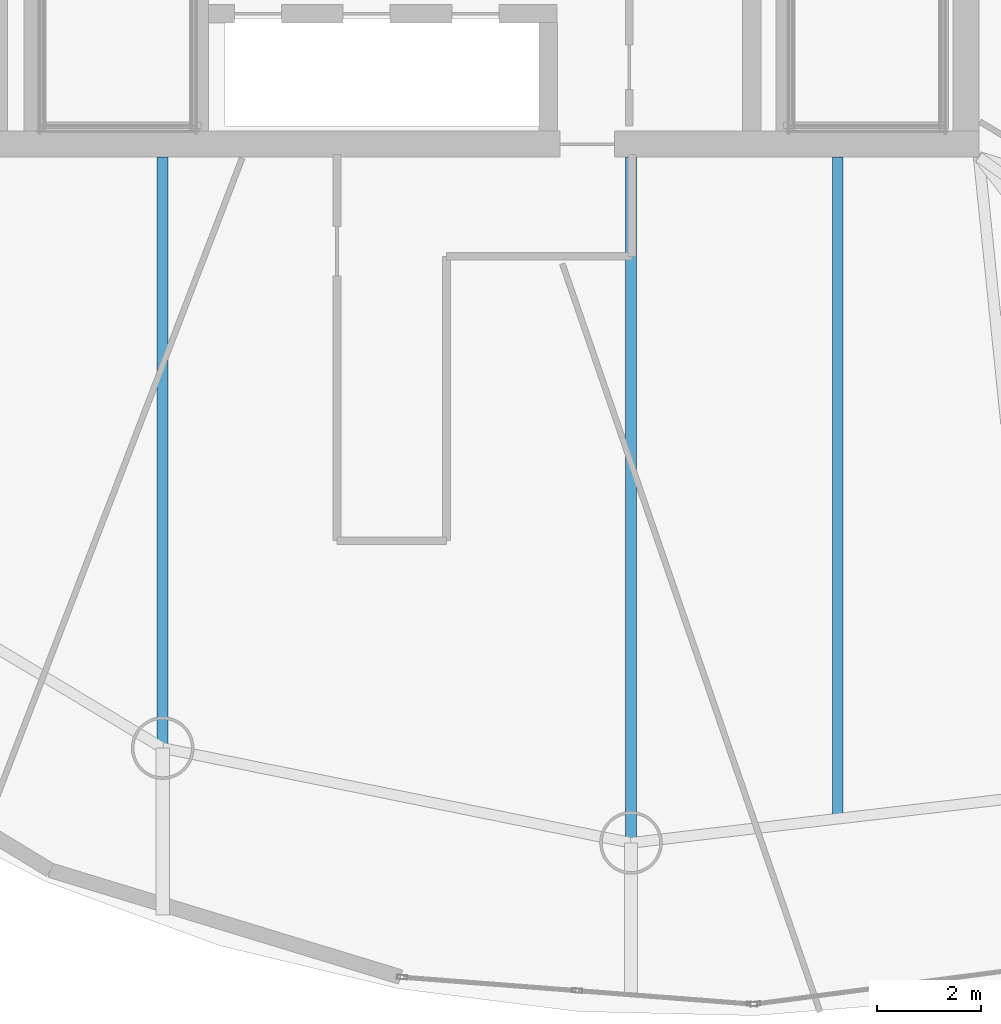
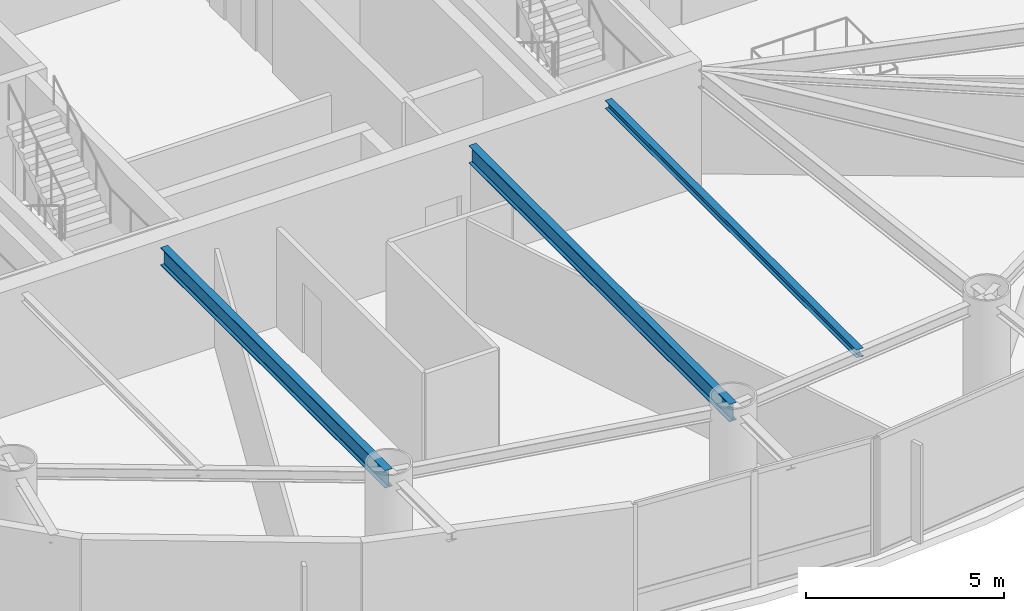
# One storey, part 3 of 21: 3 beams.
"""IFC4 building model written with IfcOpenShell, lengths in metres."""

from ifc_helpers import new_model, si_unit, direction, frame, origin, origin_2d, place, context, subcontext, project, spatial, i_section, extrude, material, material_profile, profile_set, type_object, element, save


model = new_model("IFC4")

# Units and contexts
model_context = context("Model", 3, precision=1e-05, world=origin(), true_north=direction((0.0, 1.0)))
body_context = subcontext(model_context, "Body", "Model", "MODEL_VIEW")
ifc_project = project(units=[si_unit("LENGTHUNIT", "METRE"), si_unit("AREAUNIT", "SQUARE_METRE"), si_unit("VOLUMEUNIT", "CUBIC_METRE"), si_unit("PLANEANGLEUNIT", "RADIAN"), si_unit("MASSUNIT", "GRAM", prefix="KILO")], contexts=[model_context])

# Site, building, storey
site_placement = place(None, origin())
site = spatial("IfcSite", under=ifc_project, at=site_placement, CompositionType="ELEMENT")
building_placement = place(site_placement, origin())
building = spatial("IfcBuilding", under=site, at=building_placement, Name="Bramvorn Convention Spire", CompositionType="ELEMENT")
storey_placement = place(building_placement, frame((0.0, 0.0, 186.60009765625)))
storey = spatial("IfcBuildingStorey", under=building, at=storey_placement, Name="L47", CompositionType="ELEMENT", Elevation=186.60009765625)

# Beams
ifc_material = material(Name="Steel CSA G40.21 Grade 350 (350W)", Category="steel")
ifc_material_profile_1 = material_profile(ifc_material, i_section(OverallWidth=0.201904296875, OverallDepth=0.2470703125, WebThickness=0.00732421875, FlangeThickness=0.010986328125, FilletRadius=0.011962890625, at=origin_2d()))
ifc_profile_set_1 = profile_set([ifc_material_profile_1], Name="Steel CSA G40.21 Grade 350 (350W) - W250X49")
beam_type_1 = type_object("IfcBeamType", Name="BM-W250X49", PredefinedType="JOIST", material=ifc_profile_set_1)
beam_1_placement = place(storey_placement, frame((46.544189453125, 18.550048828125, 3.496337890625), z_axis=(0.0, -1.0, 0.0), x_axis=(1.0, 0.0, 0.0)))
element("IfcBeam", 1, at=beam_1_placement, inside=storey, type_object=beam_type_1, Name="L47 composite floor joist 15", PredefinedType="JOIST", context=body_context, shape_type="SweptSolid", body=[
    extrude(i_section(OverallWidth=0.201904296875, OverallDepth=0.2470703125, WebThickness=0.00732421875, FlangeThickness=0.010986328125, FilletRadius=0.011962890625, at=origin_2d()), origin(), (0.0, 0.0, 1.0), 12.67626953125),
])
ifc_material_profile_2 = material_profile(ifc_material, i_section(OverallWidth=0.2119140625, OverallDepth=0.5439453125, WebThickness=0.01318359375, FlangeThickness=0.021240234375, FilletRadius=0.01904296875, at=origin_2d()))
ifc_profile_set_2 = profile_set([ifc_material_profile_2], Name="Steel CSA G40.21 Grade 350 (350W) - W530X123")
beam_type_2 = type_object("IfcBeamType", Name="BM-W530X123", PredefinedType="BEAM", material=ifc_profile_set_2)
beam_2_placement = place(storey_placement, frame((33.61083984375, 18.550048828125, 3.347900390625), z_axis=(0.0, -1.0, 0.0), x_axis=(1.0, 0.0, 0.0)))
element("IfcBeam", 2, at=beam_2_placement, inside=storey, type_object=beam_type_2, Name="L47 radial floor girder MC14", PredefinedType="BEAM", context=body_context, shape_type="SweptSolid", body=[
    extrude(i_section(OverallWidth=0.2119140625, OverallDepth=0.5439453125, WebThickness=0.01318359375, FlangeThickness=0.021240234375, FilletRadius=0.01904296875, at=origin_2d()), origin(), (0.0, 0.0, 1.0), 11.322265625),
])
beam_3_placement = place(storey_placement, frame((42.583740234375, 18.550048828125, 3.347900390625), z_axis=(0.0, -1.0, 0.0), x_axis=(1.0, 0.0, 0.0)))
element("IfcBeam", 3, at=beam_3_placement, inside=storey, type_object=beam_type_2, Name="L47 radial floor girder MC15", PredefinedType="BEAM", context=body_context, shape_type="SweptSolid", body=[
    extrude(i_section(OverallWidth=0.2119140625, OverallDepth=0.5439453125, WebThickness=0.01318359375, FlangeThickness=0.021240234375, FilletRadius=0.01904296875, at=origin_2d()), origin(), (0.0, 0.0, 1.0), 13.138427734375),
])

save(model, "model.ifc")
